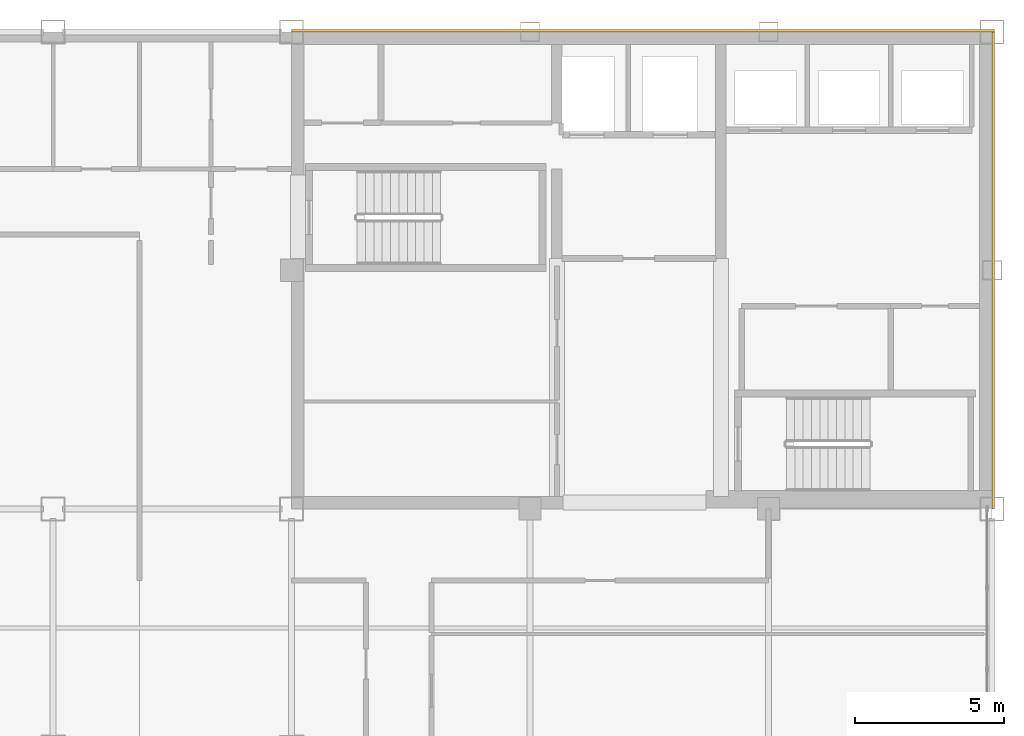
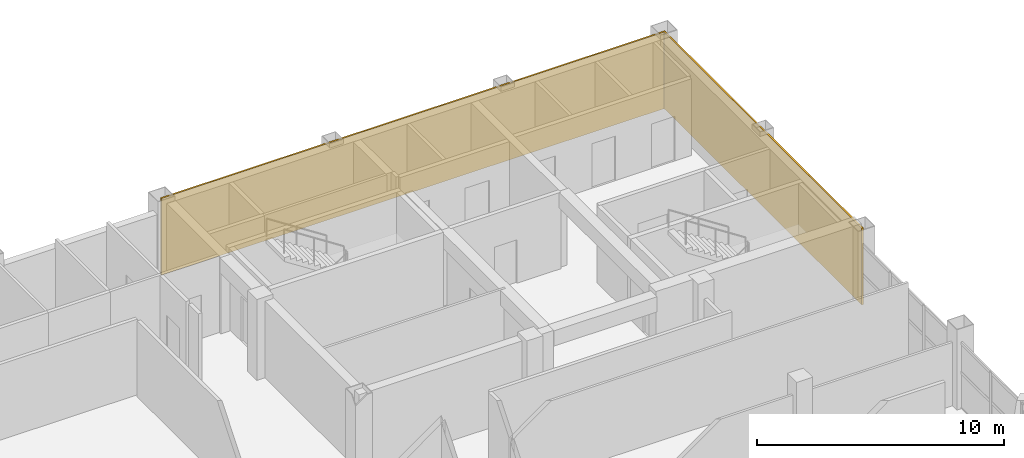
# One storey, part 13 of 13: 2 coverings.
"""IFC4 building model written with IfcOpenShell, lengths in metres."""

from ifc_helpers import new_model, si_unit, direction, frame, origin, origin_2d, place, context, subcontext, project, spatial, rectangle, extrude, material, layer, layer_set, type_object, element, save


model = new_model("IFC4")

# Units and contexts
model_context = context("Model", 3, precision=1e-05, world=origin(), true_north=direction((0.0, 1.0)))
body_context = subcontext(model_context, "Body", "Model", "MODEL_VIEW")
ifc_project = project(units=[si_unit("LENGTHUNIT", "METRE"), si_unit("AREAUNIT", "SQUARE_METRE"), si_unit("VOLUMEUNIT", "CUBIC_METRE"), si_unit("PLANEANGLEUNIT", "RADIAN"), si_unit("MASSUNIT", "GRAM", prefix="KILO")], contexts=[model_context])

# Site, building, storey
site_placement = place(None, origin())
site = spatial("IfcSite", under=ifc_project, at=site_placement, CompositionType="ELEMENT")
building_placement = place(site_placement, origin())
building = spatial("IfcBuilding", under=site, at=building_placement, Name="Qianrong Seaharbour Tower", CompositionType="ELEMENT")
storey_placement = place(building_placement, frame((0.0, 0.0, 295.199951171875)))
storey = spatial("IfcBuildingStorey", under=building, at=storey_placement, Name="L71", CompositionType="ELEMENT", Elevation=295.199951171875)

# Coverings
ifc_material = material(Name="Unitised red brick cladding on Precast concrete C45/55", Category="masonry")
ifc_layer = layer(ifc_material, 0.080078125)
ifc_layer_set = layer_set([ifc_layer], Name="Unitised red brick cladding on Precast concrete C45/55")
covering_type = type_object("IfcCoveringType", Name="COV-CLAD-RED-BRICK-80", PredefinedType="CLADDING", material=ifc_layer_set)
covering_1_placement = place(storey_placement, frame((52.2900390625, 52.0400390625, 0.0), z_axis=(0.0, 0.0, 1.0), x_axis=(1.0, 0.0, 0.0)))
element("IfcCovering", 1, at=covering_1_placement, inside=storey, type_object=covering_type, Name="L71 North Core Brick Veneer Cladding", PredefinedType="CLADDING", context=body_context, shape_type="SweptSolid", body=[
    extrude(rectangle(XDim=23.580078125, YDim=0.080078125, at=origin_2d()), origin(), (0.0, 0.0, 1.0), 3.784912109375),
])
covering_2_placement = place(storey_placement, frame((64.0400390625, 44.0, 0.0), z_axis=(0.0, 0.0, 1.0), x_axis=(1.0, 0.0, 0.0)))
element("IfcCovering", 2, at=covering_2_placement, inside=storey, type_object=covering_type, Name="L71 East Core Brick Veneer Cladding", PredefinedType="CLADDING", context=body_context, shape_type="SweptSolid", body=[
    extrude(rectangle(XDim=0.080078125, YDim=16.0, at=origin_2d()), origin(), (0.0, 0.0, 1.0), 3.784912109375),
])

save(model, "model.ifc")
